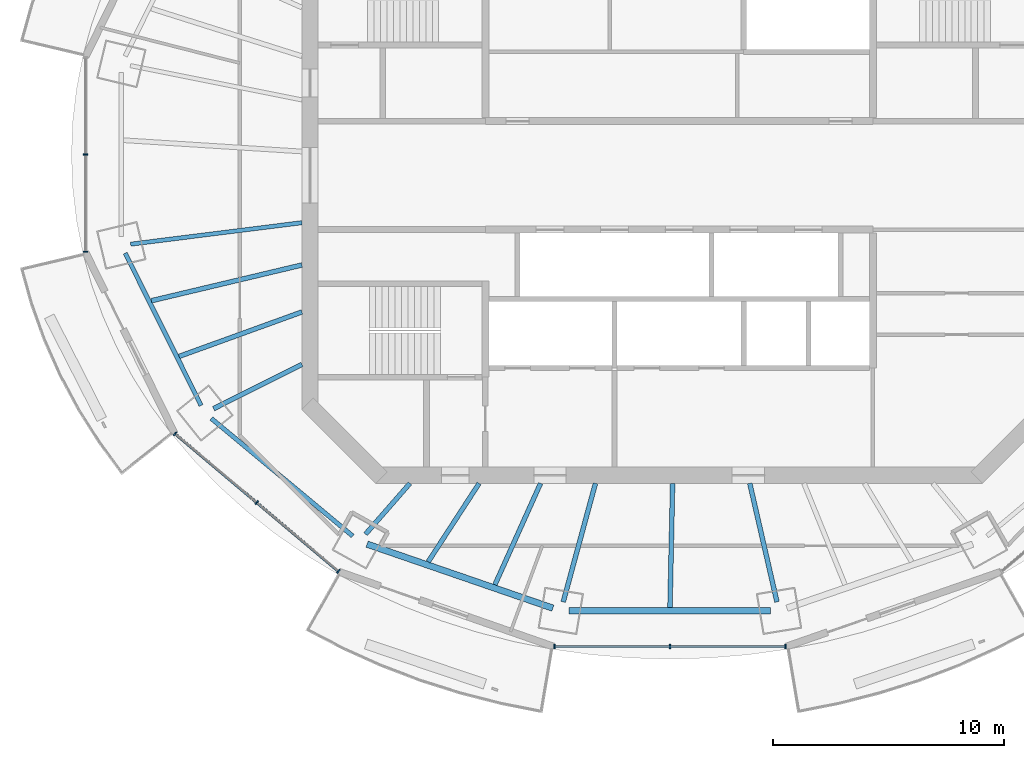
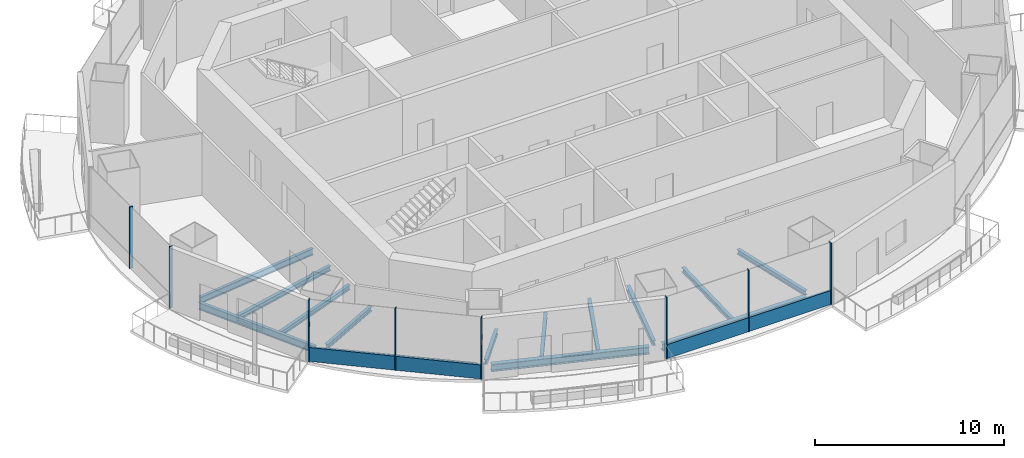
# One storey, part 2 of 16: 14 beams, 10 members, 3 elements without a shape of their own.
"""IFC4 building model written with IfcOpenShell, lengths in metres."""

from ifc_helpers import new_model, si_unit, direction, frame, origin, origin_2d, place, context, subcontext, project, spatial, rectangle, i_section, extrude, material, material_profile, profile_set, type_object, element, aggregate, save


model = new_model("IFC4")

# Units and contexts
model_context = context("Model", 3, precision=1e-05, world=origin(), true_north=direction((0.0, 1.0)))
body_context = subcontext(model_context, "Body", "Model", "MODEL_VIEW")
ifc_project = project(units=[si_unit("LENGTHUNIT", "METRE"), si_unit("AREAUNIT", "SQUARE_METRE"), si_unit("VOLUMEUNIT", "CUBIC_METRE"), si_unit("PLANEANGLEUNIT", "RADIAN"), si_unit("MASSUNIT", "GRAM", prefix="KILO")], contexts=[model_context])

# Site, building, storey
site_placement = place(None, origin())
site = spatial("IfcSite", under=ifc_project, at=site_placement, CompositionType="ELEMENT")
building_placement = place(site_placement, origin())
building = spatial("IfcBuilding", under=site, at=building_placement, Name="Marenthal Gate Tower", CompositionType="ELEMENT")
storey_placement = place(building_placement, frame((0.0, 0.0, 379.949951171875)))
storey = spatial("IfcBuildingStorey", under=building, at=storey_placement, Name="L86", CompositionType="ELEMENT", Elevation=379.949951171875)

# Curtain wall, members
ifc_material_1 = material(Name="Aluminium and glass", Category="aluminium")
curtain_wall_type = type_object("IfcCurtainWallType", Name="Curtain wall typical high", PredefinedType="NOTDEFINED", material=ifc_material_1)
curtain_wall_1_placement = place(storey_placement, origin())
curtain_wall_1 = element("IfcCurtainWall", 1, at=curtain_wall_1_placement, inside=storey, type_object=curtain_wall_type, Name="Curtain wall L86 bay 8", PredefinedType="NOTDEFINED")
ifc_material_2 = material(Name="Aluminium", Category="aluminium")
ifc_material_profile_1 = material_profile(ifc_material_2, rectangle(XDim=0.199951171875, YDim=0.06005859375, at=origin_2d()), Name="60x200 aluminium mullion")
ifc_profile_set_1 = profile_set([ifc_material_profile_1], Name="Aluminium")
member_type_1 = type_object("IfcMemberType", Name="Mullion 60x200 typical high", PredefinedType="MULLION", material=ifc_profile_set_1)
member_1_placement = place(storey_placement, frame((-25.725830078125, 0.89990234375, 0.0), z_axis=(0.0, 0.0, 1.0), x_axis=(1.0, 0.0, 0.0)))
member_1 = element("IfcMember", 2, at=member_1_placement, type_object=member_type_1, Name="Mullion L86 bay 8.2", PredefinedType="MULLION", context=body_context, shape_type="SweptSolid", body=[
    extrude(rectangle(XDim=0.199951171875, YDim=0.06005859375, at=origin_2d()), origin(), (0.0, 0.0, 1.0), 3.969970703125),
])
member_2_placement = place(storey_placement, frame((-25.725830078125, -3.312255859375, 0.0), z_axis=(0.0, 0.0, 1.0), x_axis=(1.0, 0.0, 0.0)))
member_2 = element("IfcMember", 3, at=member_2_placement, type_object=member_type_1, Name="Mullion L86 bay 8.3", PredefinedType="MULLION", context=body_context, shape_type="SweptSolid", body=[
    extrude(rectangle(XDim=0.199951171875, YDim=0.06005859375, at=origin_2d()), origin(), (0.0, 0.0, 1.0), 3.969970703125),
])
aggregate(curtain_wall_1, [member_1, member_2])

curtain_wall_2_placement = place(storey_placement, origin())
curtain_wall_2 = element("IfcCurtainWall", 4, at=curtain_wall_2_placement, inside=storey, type_object=curtain_wall_type, Name="Curtain wall L86 bay 10", PredefinedType="NOTDEFINED")
member_3_placement = place(storey_placement, frame((-21.84716796875, -11.2001953125, 0.0), z_axis=(0.0, 0.0, 1.0), x_axis=(0.64413508453, 0.764911754961, 0.0)))
member_3 = element("IfcMember", 5, at=member_3_placement, type_object=member_type_1, Name="Mullion L86 bay 10.1", PredefinedType="MULLION", context=body_context, shape_type="SweptSolid", body=[
    extrude(rectangle(XDim=0.199951171875, YDim=0.06005859375, at=origin_2d()), origin(), (0.0, 0.0, 1.0), 3.969970703125),
])
member_4_placement = place(storey_placement, frame((-18.30810546875, -14.1806640625, 0.0), z_axis=(0.0, 0.0, 1.0), x_axis=(0.64413508453, 0.764911754961, 0.0)))
member_4 = element("IfcMember", 6, at=member_4_placement, type_object=member_type_1, Name="Mullion L86 bay 10.2", PredefinedType="MULLION", context=body_context, shape_type="SweptSolid", body=[
    extrude(rectangle(XDim=0.199951171875, YDim=0.06005859375, at=origin_2d()), origin(), (0.0, 0.0, 1.0), 3.969970703125),
])
member_5_placement = place(storey_placement, frame((-14.768798828125, -17.160888671875, 0.0), z_axis=(0.0, 0.0, 1.0), x_axis=(0.64413508453, 0.764911754961, 0.0)))
member_5 = element("IfcMember", 7, at=member_5_placement, type_object=member_type_1, Name="Mullion L86 bay 10.3", PredefinedType="MULLION", context=body_context, shape_type="SweptSolid", body=[
    extrude(rectangle(XDim=0.199951171875, YDim=0.06005859375, at=origin_2d()), origin(), (0.0, 0.0, 1.0), 3.969970703125),
])

curtain_wall_3_placement = place(storey_placement, origin())
curtain_wall_3 = element("IfcCurtainWall", 8, at=curtain_wall_3_placement, inside=storey, type_object=curtain_wall_type, Name="Curtain wall L86 bay 12", PredefinedType="NOTDEFINED")
member_6_placement = place(storey_placement, frame((-5.40771484375, -20.42724609375, 0.0), z_axis=(0.0, 0.0, 1.0), x_axis=(0.0, 1.0, 0.0)))
member_6 = element("IfcMember", 9, at=member_6_placement, type_object=member_type_1, Name="Mullion L86 bay 12.1", PredefinedType="MULLION", context=body_context, shape_type="SweptSolid", body=[
    extrude(rectangle(XDim=0.199951171875, YDim=0.06005859375, at=origin_2d()), origin(), (0.0, 0.0, 1.0), 3.969970703125),
])
member_7_placement = place(storey_placement, frame((-0.39990234375, -20.42724609375, 0.0), z_axis=(0.0, 0.0, 1.0), x_axis=(0.0, 1.0, 0.0)))
member_7 = element("IfcMember", 10, at=member_7_placement, type_object=member_type_1, Name="Mullion L86 bay 12.2", PredefinedType="MULLION", context=body_context, shape_type="SweptSolid", body=[
    extrude(rectangle(XDim=0.199951171875, YDim=0.06005859375, at=origin_2d()), origin(), (0.0, 0.0, 1.0), 3.969970703125),
])
member_8_placement = place(storey_placement, frame((4.607666015625, -20.42724609375, 0.0), z_axis=(0.0, 0.0, 1.0), x_axis=(0.0, 1.0, 0.0)))
member_8 = element("IfcMember", 11, at=member_8_placement, type_object=member_type_1, Name="Mullion L86 bay 12.3", PredefinedType="MULLION", context=body_context, shape_type="SweptSolid", body=[
    extrude(rectangle(XDim=0.199951171875, YDim=0.06005859375, at=origin_2d()), origin(), (0.0, 0.0, 1.0), 3.969970703125),
])

# Member
ifc_material_3 = material(Name="Aluminium", Category="aluminium")
ifc_material_profile_2 = material_profile(ifc_material_3, rectangle(XDim=0.1201171875, YDim=0.89990234375, at=origin_2d()), Name="120x900 aluminium transom")
ifc_profile_set_2 = profile_set([ifc_material_profile_2], Name="Aluminium")
member_type_2 = type_object("IfcMemberType", Name="Transom 120x900 typical high", PredefinedType="USERDEFINED", material=ifc_profile_set_2)
member_9_placement = place(storey_placement, frame((-21.82421875, -11.219482421875, 0.449951171875), z_axis=(0.764909132267, -0.644138198972, 0.0), x_axis=(0.644138198972, 0.764909132267, 0.0)))
member_9 = element("IfcMember", 12, at=member_9_placement, type_object=member_type_2, Name="Transom L86 bay 10", ObjectType="TRANSOM", PredefinedType="USERDEFINED", context=body_context, shape_type="SweptSolid", body=[
    extrude(rectangle(XDim=0.1201171875, YDim=0.89990234375, at=origin_2d()), origin(), (0.0, 0.0, 1.0), 9.19384765625),
])

aggregate(curtain_wall_2, [member_3, member_4, member_5, member_9])

member_10_placement = place(storey_placement, frame((-5.377685546875, -20.42724609375, 0.449951171875), z_axis=(1.0, 0.0, 0.0), x_axis=(0.0, 1.0, 0.0)))
member_10 = element("IfcMember", 13, at=member_10_placement, type_object=member_type_2, Name="Transom L86 bay 12", ObjectType="TRANSOM", PredefinedType="USERDEFINED", context=body_context, shape_type="SweptSolid", body=[
    extrude(rectangle(XDim=0.1201171875, YDim=0.89990234375, at=origin_2d()), origin(), (0.0, 0.0, 1.0), 9.955322265625),
])

aggregate(curtain_wall_3, [member_6, member_7, member_8, member_10])

# Beams
ifc_material_4 = material(Name="Steel S355", Category="steel")
ifc_material_profile_3 = material_profile(ifc_material_4, i_section(OverallWidth=0.202880859375, OverallDepth=0.302001953125, WebThickness=0.007568359375, FlangeThickness=0.01318359375, FilletRadius=0.0126953125, at=origin_2d()), Name="W310X60")
ifc_profile_set_3 = profile_set([ifc_material_profile_3], Name="Steel S355")
beam_type_1 = type_object("IfcBeamType", Name="W310X60 beam", PredefinedType="BEAM", material=ifc_profile_set_3)
beam_1_placement = place(storey_placement, frame((-21.672607421875, -7.847412109375, -0.3310546875), z_axis=(0.940258470741, 0.340461463604, 0.0), x_axis=(-0.340461463604, 0.940258470741, 0.0)))
element("IfcBeam", 14, at=beam_1_placement, inside=storey, type_object=beam_type_1, Name="BM-L86-30", PredefinedType="BEAM", context=body_context, shape_type="SweptSolid", body=[
    extrude(i_section(OverallWidth=0.202880859375, OverallDepth=0.302001953125, WebThickness=0.007568359375, FlangeThickness=0.01318359375, FilletRadius=0.0126953125, at=origin_2d()), origin(), (0.0, 0.0, 1.0), 5.66064453125),
])
beam_2_placement = place(storey_placement, frame((-10.876953125, -16.749755859375, -0.3310546875), z_axis=(0.544639003867, 0.838670588173, 0.0), x_axis=(-0.838670588173, 0.544639003867, 0.0)))
element("IfcBeam", 15, at=beam_2_placement, inside=storey, type_object=beam_type_1, Name="BM-L86-31", PredefinedType="BEAM", context=body_context, shape_type="SweptSolid", body=[
    extrude(i_section(OverallWidth=0.202880859375, OverallDepth=0.302001953125, WebThickness=0.007568359375, FlangeThickness=0.01318359375, FilletRadius=0.0126953125, at=origin_2d()), origin(), (0.0, 0.0, 1.0), 4.0537109375),
])
beam_3_placement = place(storey_placement, frame((-7.98486328125, -17.74609375, -0.3310546875), z_axis=(0.410335194942, 0.911934771676, 0.0), x_axis=(-0.911934771676, 0.410335194942, 0.0)))
element("IfcBeam", 16, at=beam_3_placement, inside=storey, type_object=beam_type_1, Name="BM-L86-32", PredefinedType="BEAM", context=body_context, shape_type="SweptSolid", body=[
    extrude(i_section(OverallWidth=0.202880859375, OverallDepth=0.302001953125, WebThickness=0.007568359375, FlangeThickness=0.01318359375, FilletRadius=0.0126953125, at=origin_2d()), origin(), (0.0, 0.0, 1.0), 4.820556640625),
])
beam_4_placement = place(storey_placement, frame((-0.39697265625, -18.738037109375, -0.3310546875), z_axis=(0.021156168271, 0.999776183225, 0.0), x_axis=(-0.999776183225, 0.021156168271, 0.0)))
element("IfcBeam", 17, at=beam_4_placement, inside=storey, type_object=beam_type_1, Name="BM-L86-33", PredefinedType="BEAM", context=body_context, shape_type="SweptSolid", body=[
    extrude(i_section(OverallWidth=0.202880859375, OverallDepth=0.302001953125, WebThickness=0.007568359375, FlangeThickness=0.01318359375, FilletRadius=0.0126953125, at=origin_2d()), origin(), (0.0, 0.0, 1.0), 5.38916015625),
])
ifc_material_5 = material(Name="Steel S355", Category="steel")
ifc_material_profile_4 = material_profile(ifc_material_5, i_section(OverallWidth=0.205078125, OverallDepth=0.31005859375, WebThickness=0.009521484375, FlangeThickness=0.016357421875, FilletRadius=0.0126953125, at=origin_2d()), Name="W310X74")
ifc_profile_set_4 = profile_set([ifc_material_profile_4], Name="Steel S355")
beam_type_2 = type_object("IfcBeamType", Name="W310X74 beam", PredefinedType="BEAM", material=ifc_profile_set_4)
beam_5_placement = place(storey_placement, frame((-20.180419921875, -10.114501953125, -0.3349609375), z_axis=(0.894005119758, 0.448056744003, 0.0), x_axis=(-0.448056744003, 0.894005119758, 0.0)))
element("IfcBeam", 18, at=beam_5_placement, inside=storey, type_object=beam_type_2, Name="BM-L86-10", PredefinedType="BEAM", context=body_context, shape_type="SweptSolid", body=[
    extrude(i_section(OverallWidth=0.205078125, OverallDepth=0.31005859375, WebThickness=0.009521484375, FlangeThickness=0.016357421875, FilletRadius=0.0126953125, at=origin_2d()), origin(), (0.0, 0.0, 1.0), 4.284423828125),
])
beam_6_placement = place(storey_placement, frame((-13.59130859375, -15.550048828125, -0.3349609375), z_axis=(0.658096337895, 0.752933735497, 0.0), x_axis=(-0.752933735497, 0.658096337895, 0.0)))
element("IfcBeam", 19, at=beam_6_placement, inside=storey, type_object=beam_type_2, Name="BM-L86-11", PredefinedType="BEAM", context=body_context, shape_type="SweptSolid", body=[
    extrude(i_section(OverallWidth=0.205078125, OverallDepth=0.31005859375, WebThickness=0.009521484375, FlangeThickness=0.016357421875, FilletRadius=0.0126953125, at=origin_2d()), origin(), (0.0, 0.0, 1.0), 2.921875),
])
beam_7_placement = place(storey_placement, frame((-5.023193359375, -18.487060546875, -0.3349609375), z_axis=(0.262201429118, 0.965013166008, 0.0), x_axis=(-0.965013166008, 0.262201429118, 0.0)))
element("IfcBeam", 20, at=beam_7_placement, inside=storey, type_object=beam_type_2, Name="BM-L86-12", PredefinedType="BEAM", context=body_context, shape_type="SweptSolid", body=[
    extrude(i_section(OverallWidth=0.205078125, OverallDepth=0.31005859375, WebThickness=0.009521484375, FlangeThickness=0.016357421875, FilletRadius=0.0126953125, at=origin_2d()), origin(), (0.0, 0.0, 1.0), 5.3232421875),
])
beam_8_placement = place(storey_placement, frame((4.239501953125, -18.48583984375, -0.3349609375), z_axis=(-0.223519228241, 0.974699520163, 0.0), x_axis=(-0.974699520163, -0.223519228241, 0.0)))
element("IfcBeam", 21, at=beam_8_placement, inside=storey, type_object=beam_type_2, Name="BM-L86-13", PredefinedType="BEAM", context=body_context, shape_type="SweptSolid", body=[
    extrude(i_section(OverallWidth=0.205078125, OverallDepth=0.31005859375, WebThickness=0.009521484375, FlangeThickness=0.016357421875, FilletRadius=0.0126953125, at=origin_2d()), origin(), (0.0, 0.0, 1.0), 5.26904296875),
])
beam_9_placement = place(storey_placement, frame((-22.874267578125, -5.434326171875, -0.3349609375), z_axis=(0.972926011312, 0.231116802747, 0.0), x_axis=(-0.231116802747, 0.972926011312, 0.0)))
element("IfcBeam", 22, at=beam_9_placement, inside=storey, type_object=beam_type_2, Name="BM-L86-29", PredefinedType="BEAM", context=body_context, shape_type="SweptSolid", body=[
    extrude(i_section(OverallWidth=0.205078125, OverallDepth=0.31005859375, WebThickness=0.009521484375, FlangeThickness=0.016357421875, FilletRadius=0.0126953125, at=origin_2d()), origin(), (0.0, 0.0, 1.0), 6.705810546875),
])
ifc_material_6 = material(Name="Steel S355", Category="steel")
ifc_material_profile_5 = material_profile(ifc_material_6, i_section(OverallWidth=0.180908203125, OverallDepth=0.4169921875, WebThickness=0.010986328125, FlangeThickness=0.018310546875, FilletRadius=0.01025390625, at=origin_2d()), Name="W410X85")
ifc_profile_set_5 = profile_set([ifc_material_profile_5], Name="Steel S355")
beam_type_3 = type_object("IfcBeamType", Name="W410X85 beam", PredefinedType="BEAM", material=ifc_profile_set_5)
beam_10_placement = place(storey_placement, frame((-23.77392578125, -2.9833984375, -0.388427734375), z_axis=(0.992217519414, 0.124516642136, 0.0), x_axis=(-0.124516642136, 0.992217519414, 0.0)))
element("IfcBeam", 23, at=beam_10_placement, inside=storey, type_object=beam_type_3, Name="BM-L86-09", PredefinedType="BEAM", context=body_context, shape_type="SweptSolid", body=[
    extrude(i_section(OverallWidth=0.180908203125, OverallDepth=0.4169921875, WebThickness=0.010986328125, FlangeThickness=0.018310546875, FilletRadius=0.01025390625, at=origin_2d()), origin(), (0.0, 0.0, 1.0), 7.482177734375),
])
ifc_material_7 = material(Name="Steel S355", Category="steel")
ifc_material_profile_6 = material_profile(ifc_material_7, i_section(OverallWidth=0.279052734375, OverallDepth=0.4619140625, WebThickness=0.0107421875, FlangeThickness=0.017333984375, FilletRadius=0.010009765625, at=origin_2d()), Name="W460X113")
ifc_profile_set_6 = profile_set([ifc_material_profile_6], Name="Steel S355")
beam_type_4 = type_object("IfcBeamType", Name="W460X113 beam", PredefinedType="BEAM", material=ifc_profile_set_6)
beam_11_placement = place(storey_placement, frame((-13.524658203125, -15.98486328125, -0.410888671875), z_axis=(0.945453672433, -0.325756585939, 0.0), x_axis=(0.325756585939, 0.945453672433, 0.0)))
element("IfcBeam", 24, at=beam_11_placement, inside=storey, type_object=beam_type_4, Name="BM-L86-49", PredefinedType="BEAM", context=body_context, shape_type="SweptSolid", body=[
    extrude(i_section(OverallWidth=0.279052734375, OverallDepth=0.4619140625, WebThickness=0.0107421875, FlangeThickness=0.017333984375, FilletRadius=0.010009765625, at=origin_2d()), origin(), (0.0, 0.0, 1.0), 8.517578125),
])
beam_12_placement = place(storey_placement, frame((-4.767822265625, -18.87744140625, -0.410888671875), z_axis=(1.0, 0.0, 0.0), x_axis=(0.0, 1.0, 0.0)))
element("IfcBeam", 25, at=beam_12_placement, inside=storey, type_object=beam_type_4, Name="BM-L86-50", PredefinedType="BEAM", context=body_context, shape_type="SweptSolid", body=[
    extrude(i_section(OverallWidth=0.279052734375, OverallDepth=0.4619140625, WebThickness=0.0107421875, FlangeThickness=0.017333984375, FilletRadius=0.010009765625, at=origin_2d()), origin(), (0.0, 0.0, 1.0), 8.735595703125),
])
ifc_material_8 = material(Name="Steel S355", Category="steel")
ifc_material_profile_7 = material_profile(ifc_material_8, i_section(OverallWidth=0.19091796875, OverallDepth=0.45703125, WebThickness=0.009033203125, FlangeThickness=0.014404296875, FilletRadius=0.01025390625, at=origin_2d()), Name="W460X74")
ifc_profile_set_7 = profile_set([ifc_material_profile_7], Name="Steel S355")
beam_type_5 = type_object("IfcBeamType", Name="W460X74 beam", PredefinedType="BEAM", material=ifc_profile_set_7)
beam_13_placement = place(storey_placement, frame((-24.01025390625, -3.367431640625, -0.408447265625), z_axis=(0.445757037606, -0.895153988666, 0.0), x_axis=(0.895153988666, 0.445757037606, 0.0)))
element("IfcBeam", 26, at=beam_13_placement, inside=storey, type_object=beam_type_5, Name="BM-L86-47", PredefinedType="BEAM", context=body_context, shape_type="SweptSolid", body=[
    extrude(i_section(OverallWidth=0.19091796875, OverallDepth=0.45703125, WebThickness=0.009033203125, FlangeThickness=0.014404296875, FilletRadius=0.01025390625, at=origin_2d()), origin(), (0.0, 0.0, 1.0), 7.3779296875),
])
beam_14_placement = place(storey_placement, frame((-20.274169921875, -10.5380859375, -0.408447265625), z_axis=(0.76879863702, -0.639490934819, 0.0), x_axis=(0.639490934819, 0.76879863702, 0.0)))
element("IfcBeam", 27, at=beam_14_placement, inside=storey, type_object=beam_type_5, Name="BM-L86-48", PredefinedType="BEAM", context=body_context, shape_type="SweptSolid", body=[
    extrude(i_section(OverallWidth=0.19091796875, OverallDepth=0.45703125, WebThickness=0.009033203125, FlangeThickness=0.014404296875, FilletRadius=0.01025390625, at=origin_2d()), origin(), (0.0, 0.0, 1.0), 7.967529296875),
])

save(model, "model.ifc")
